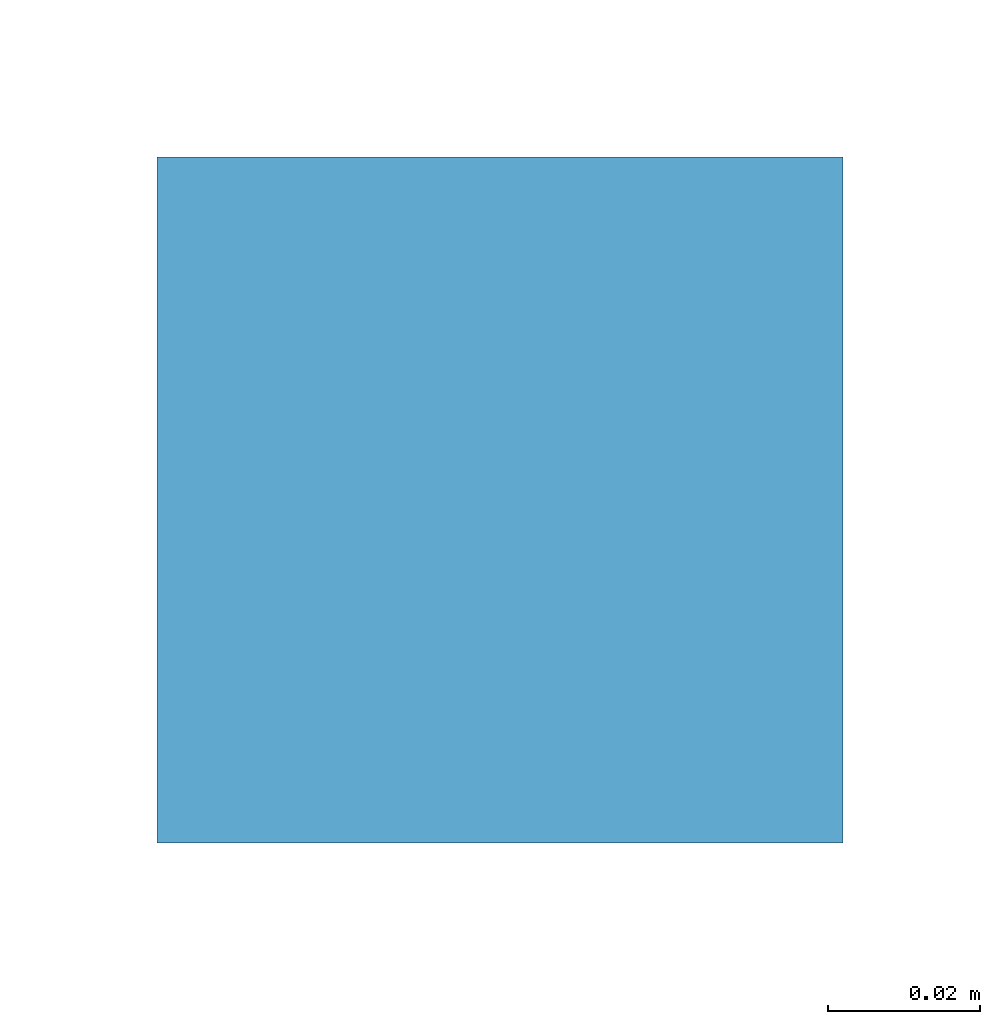
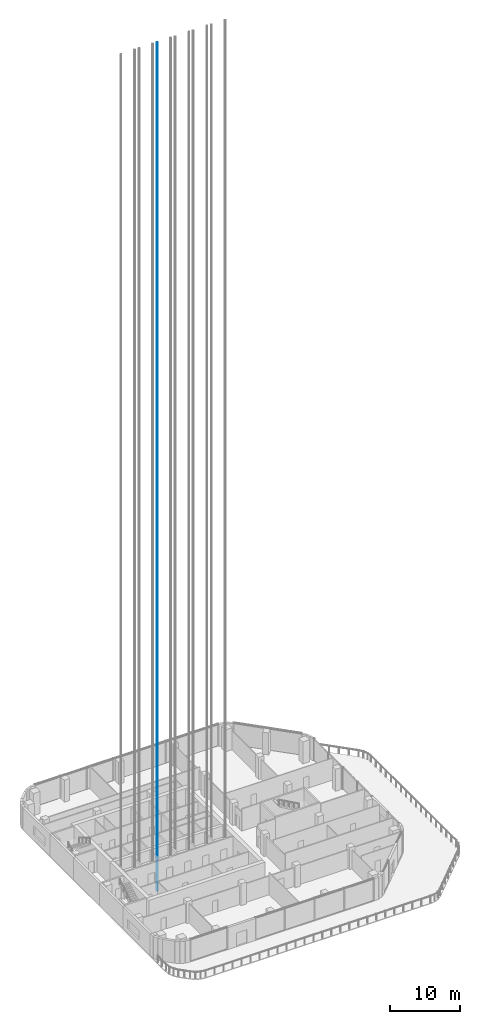
# One storey, part 9 of 29: 1 member.
"""IFC4 building model written with IfcOpenShell, lengths in metres."""

import ifcopenshell
import ifcopenshell.guid

model = None  # the IFC model being written
_history = None  # IfcOwnerHistory: only IFC2X3 demands one
_inside = {}  # id of a spatial element -> (the spatial element, [elements in it])
_under = {}  # id of a project, library or spatial element -> (it, [spatial elements below it])
_declared = {}  # id of a project -> (the project, [libraries it declares])
_typed = {}  # id of a type object -> (the type object, [elements of that type])
_made_of = {}  # id of a material, layer set ... -> (it, [elements and type objects made of it])


def new_model(schema):
    """Start an empty IFC model of exactly this schema.

    Asked for "IFC4X3", IfcOpenShell would pick the latest addendum, in which some entities
    have other attributes; the version numbers below select the first issue.
    IFC2X3 requires an IfcOwnerHistory on every rooted entity: one is made here for all.
    """
    global model, _history
    if schema == "IFC4X3":
        model = ifcopenshell.file(schema_version=(4, 3, 0, 0))
    else:
        model = ifcopenshell.file(schema=schema)
    _inside.clear()
    _under.clear()
    _declared.clear()
    _typed.clear()
    _made_of.clear()
    _history = None
    if model.schema == "IFC2X3":
        org = make("IfcOrganization", Name="unknown")
        user = make(
            "IfcPersonAndOrganization",
            ThePerson=make("IfcPerson", FamilyName="unknown"),
            TheOrganization=org,
        )
        app = make(
            "IfcApplication",
            ApplicationDeveloper=org,
            Version="unknown",
            ApplicationFullName="unknown",
            ApplicationIdentifier="unknown",
        )
        _history = make(
            "IfcOwnerHistory",
            OwningUser=user,
            OwningApplication=app,
            ChangeAction="ADDED",
            CreationDate=0,
        )
    return model


def make(cls, **values):
    """One entity of the class cls with the attributes given. An attribute that is None is left unset."""
    return model.create_entity(
        cls, **{name: value for name, value in values.items() if value is not None}
    )


def rooted(cls, **values):
    """An entity with a GlobalId (a new one), such as an element, a storey or a relation."""
    return make(cls, GlobalId=ifcopenshell.guid.new(), OwnerHistory=_history, **values)


def si_unit(unit_type, name, prefix=None):
    """IfcSIUnit, for example si_unit("LENGTHUNIT", "METRE", prefix="MILLI")."""
    return make("IfcSIUnit", UnitType=unit_type, Prefix=prefix, Name=name)


def assignment(units):
    """IfcUnitAssignment: the units of a project."""
    return None if units is None else make("IfcUnitAssignment", Units=units)


def point(xyz):
    """IfcCartesianPoint."""
    return None if xyz is None else make("IfcCartesianPoint", Coordinates=xyz)


def direction(xyz):
    """IfcDirection."""
    return None if xyz is None else make("IfcDirection", DirectionRatios=xyz)


def frame(location, z_axis=None, x_axis=None):
    """IfcAxis2Placement3D, a coordinate frame: its origin and axes. An axis left out is left unset."""
    return make(
        "IfcAxis2Placement3D",
        Location=point(location),
        Axis=direction(z_axis),
        RefDirection=direction(x_axis),
    )


def frame_2d(location, x_axis=None):
    """IfcAxis2Placement2D, a coordinate frame in the plane: its origin and x axis."""
    return make(
        "IfcAxis2Placement2D", Location=point(location), RefDirection=direction(x_axis)
    )


def origin():
    """The frame at (0, 0, 0) with its axes left unset."""
    return frame((0.0, 0.0, 0.0))


def origin_2d():
    """The frame at (0, 0) in the plane with its x axis left unset."""
    return frame_2d((0.0, 0.0))


def place(relative_to, where):
    """IfcLocalPlacement: puts the frame where relative to a parent placement (None: the world)."""
    return make(
        "IfcLocalPlacement", PlacementRelTo=relative_to, RelativePlacement=where
    )


def context(
    kind, dimensions, precision=None, world=None, true_north=None, identifier=None
):
    """IfcGeometricRepresentationContext, for example the 3D "Model" context."""
    return make(
        "IfcGeometricRepresentationContext",
        ContextIdentifier=identifier,
        ContextType=kind,
        CoordinateSpaceDimension=dimensions,
        Precision=precision,
        WorldCoordinateSystem=world,
        TrueNorth=true_north,
    )


def subcontext(parent, identifier, kind, view, scale=None):
    """IfcGeometricRepresentationSubContext, for example "Body" below "Model"."""
    return make(
        "IfcGeometricRepresentationSubContext",
        ContextIdentifier=identifier,
        ContextType=kind,
        ParentContext=parent,
        TargetScale=scale,
        TargetView=view,
    )


def project(units=None, contexts=None):
    """IfcProject with its units and contexts."""
    return rooted(
        "IfcProject",
        Name="project",
        RepresentationContexts=contexts,
        UnitsInContext=assignment(units),
    )


def spatial(cls, under=None, at=None, **own):
    """A site, building, storey or space (cls), placed at a placement, below another one or the project."""
    s = rooted(cls, ObjectPlacement=at, **own)
    if under is not None:
        _under.setdefault(under.id(), (under, []))[1].append(s)
    return s


def profile(cls, at=None, kind="AREA", **sizes):
    """A parametric profile (cls). Its sizes go by their IFC names, for example OverallWidth=200.0."""
    return make(cls, ProfileType=kind, Position=at, **sizes)


def rectangle(**sizes):
    """IfcRectangleProfileDef."""
    return profile("IfcRectangleProfileDef", **sizes)


def extrude(swept, where, along, depth):
    """IfcExtrudedAreaSolid: the profile swept, set in the frame where, extruded along a direction by depth."""
    return make(
        "IfcExtrudedAreaSolid",
        SweptArea=swept,
        Position=where,
        ExtrudedDirection=direction(along),
        Depth=depth,
    )


def shape(context_of_items, identifier, shape_type, items):
    """IfcShapeRepresentation: the items that make up one representation, for example the "Body"."""
    return make(
        "IfcShapeRepresentation",
        ContextOfItems=context_of_items,
        RepresentationIdentifier=identifier,
        RepresentationType=shape_type,
        Items=items,
    )


def material(Name=None, Category=None):
    """IfcMaterial."""
    return make("IfcMaterial", Name=Name, Category=Category)


def material_profile(
    of_material, cross_section, Name=None, Category=None, Priority=None
):
    """IfcMaterialProfile: a cross section and its material."""
    return make(
        "IfcMaterialProfile",
        Name=Name,
        Material=of_material,
        Profile=cross_section,
        Priority=Priority,
        Category=Category,
    )


def profile_set(profiles, Name=None, composite=None):
    """IfcMaterialProfileSet."""
    return make(
        "IfcMaterialProfileSet",
        Name=Name,
        MaterialProfiles=profiles,
        CompositeProfile=composite,
    )


def made_of(thing, what):
    """Note that an element or type object is made of a material, layer set ...; save() writes the relation."""
    if what is not None:
        _made_of.setdefault(what.id(), (what, []))[1].append(thing)
    return thing


def type_object(cls, material=None, **own):
    """A type object (cls), such as IfcWallType, which elements share."""
    return made_of(rooted(cls, **own), material)


def element(
    cls,
    number,
    at=None,
    inside=None,
    cuts=None,
    type_object=None,
    material=None,
    context=None,
    identifier="Body",
    shape_type=None,
    held_by="IfcProductDefinitionShape",
    body=None,
    shapes=None,
    **own,
):
    """One element of the class cls, such as IfcWall. Its Tag is "e" and its number.

    at: its placement. inside: the storey or other place that contains it. cuts: it is an
    opening in that element (IfcRelVoidsElement). A single representation is given by context,
    identifier, shape_type and body (its items); several are given by shapes. held_by: the class
    of the entity that holds the representations. save() writes the other relations.
    """
    e = rooted(cls, Tag="e%d" % number, ObjectPlacement=at, **own)
    if body is not None:
        shapes = [shape(context, identifier, shape_type, body)]
    if shapes is not None:
        e.Representation = make(held_by, Representations=shapes)
    if inside is not None:
        _inside.setdefault(inside.id(), (inside, []))[1].append(e)
    if cuts is not None:
        rooted(
            "IfcRelVoidsElement", RelatingBuildingElement=cuts, RelatedOpeningElement=e
        )
    if type_object is not None:
        _typed.setdefault(type_object.id(), (type_object, []))[1].append(e)
    return made_of(e, material)


def aggregate(whole, parts):
    """IfcRelAggregates: a whole, such as a stair, and the parts it consists of."""
    return rooted("IfcRelAggregates", RelatingObject=whole, RelatedObjects=parts)


def save(model, path):
    """Write the relations noted so far, then the file.

    IfcRelAggregates (storeys below a building ...), IfcRelContainedInSpatialStructure (elements
    in a storey), IfcRelDefinesByType, IfcRelAssociatesMaterial and IfcRelDeclares: one each for
    every whole, place, type object, material and project.
    """
    for whole, parts in _under.values():
        aggregate(whole, parts)
    for where, things in _inside.values():
        rooted(
            "IfcRelContainedInSpatialStructure",
            RelatedElements=things,
            RelatingStructure=where,
        )
    for kind, things in _typed.values():
        rooted("IfcRelDefinesByType", RelatedObjects=things, RelatingType=kind)
    for what, things in _made_of.values():
        rooted("IfcRelAssociatesMaterial", RelatedObjects=things, RelatingMaterial=what)
    for by, libraries in _declared.values():
        rooted("IfcRelDeclares", RelatingContext=by, RelatedDefinitions=libraries)
    model.write(path)


model = new_model("IFC4")

# Units and contexts
model_context = context("Model", 3, precision=1e-05, world=origin(), true_north=direction((0.0, 1.0)))
body_context = subcontext(model_context, "Body", "Model", "MODEL_VIEW")
ifc_project = project(units=[si_unit("LENGTHUNIT", "METRE"), si_unit("AREAUNIT", "SQUARE_METRE"), si_unit("VOLUMEUNIT", "CUBIC_METRE"), si_unit("PLANEANGLEUNIT", "RADIAN"), si_unit("MASSUNIT", "GRAM", prefix="KILO")], contexts=[model_context])

# Site, building, storey
site_placement = place(None, origin())
site = spatial("IfcSite", under=ifc_project, at=site_placement, CompositionType="ELEMENT")
building_placement = place(site_placement, origin())
building = spatial("IfcBuilding", under=site, at=building_placement, Name="Cinnabar Reach Civic Tower", CompositionType="ELEMENT")
storey_placement = place(building_placement, frame((0.0, 0.0, 149.0)))
storey = spatial("IfcBuildingStorey", under=building, at=storey_placement, Name="L35", CompositionType="ELEMENT", Elevation=149.0)

# Member
ifc_material = material(Name="Steel Q355B", Category="steel")
ifc_material_profile = material_profile(ifc_material, rectangle(XDim=0.09, YDim=0.09, at=origin_2d()), Name="T1 lift guide rail")
ifc_profile_set = profile_set([ifc_material_profile], Name="Steel Q355B")
member_type = type_object("IfcMemberType", Name="T1 lift guide rail", PredefinedType="USERDEFINED", material=ifc_profile_set)
member_placement = place(storey_placement, frame((10.87, 30.0, -2.5), z_axis=(0.0, 0.0, 1.0), x_axis=(1.0, 0.0, 0.0)))
element("IfcMember", 1, at=member_placement, inside=storey, type_object=member_type, Name="T1-HR3 guide rail 1", ObjectType="GUIDE RAIL", PredefinedType="USERDEFINED", context=body_context, shape_type="SweptSolid", body=[
    extrude(rectangle(XDim=0.09, YDim=0.09, at=origin_2d()), origin(), (0.0, 0.0, 1.0), 148.5),
])

save(model, "model.ifc")
